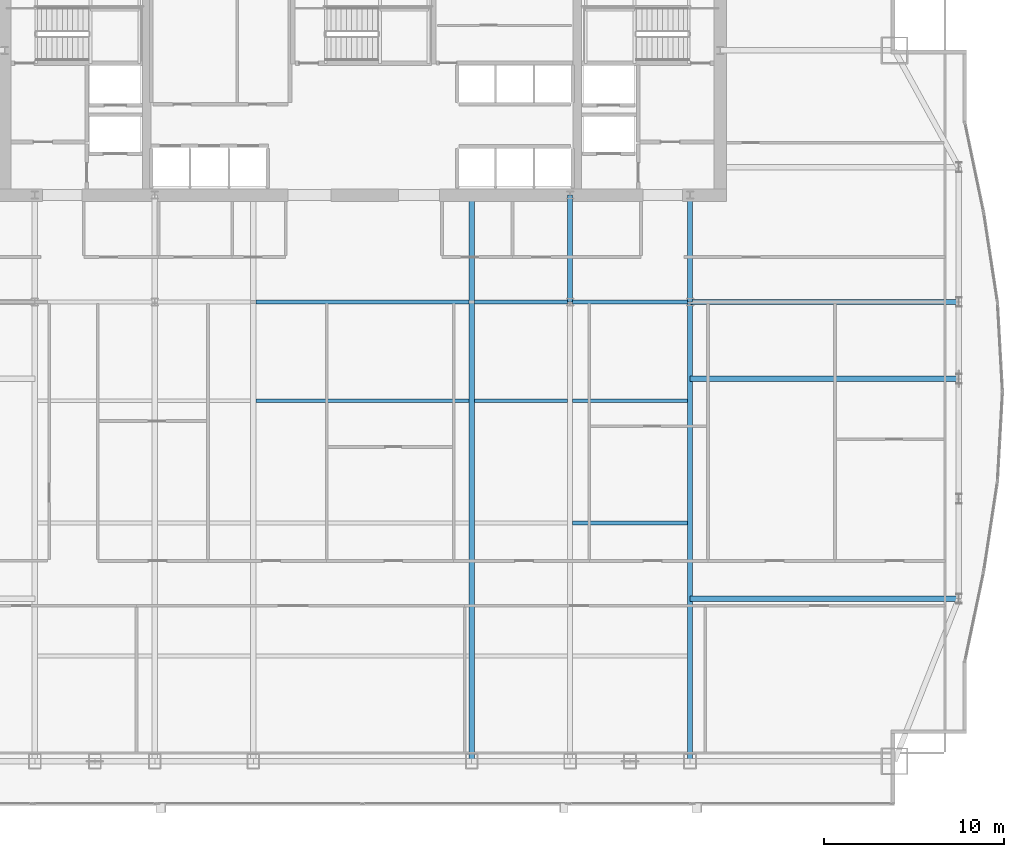
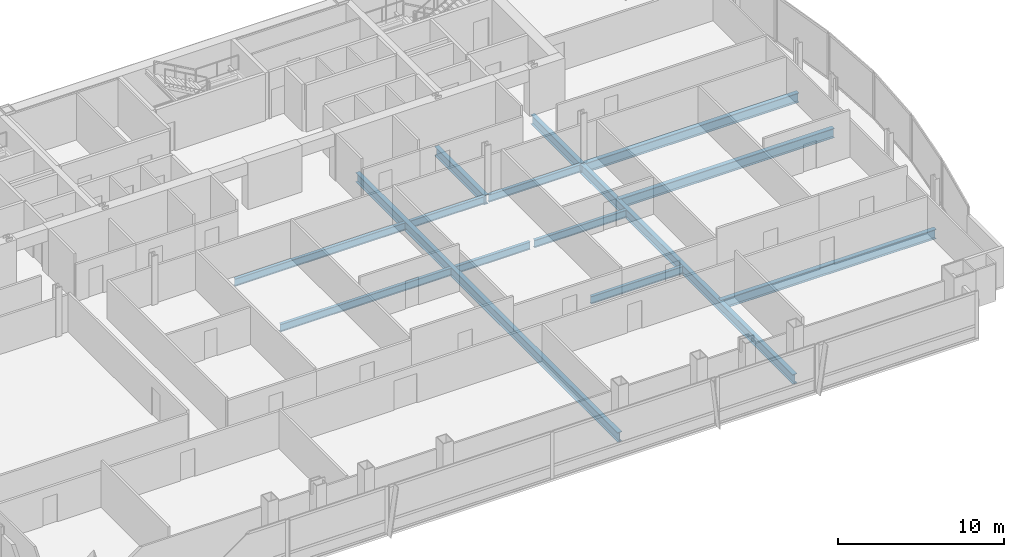
# One storey, part 16 of 33: 14 beams.
"""IFC4 building model written with IfcOpenShell, lengths in metres."""

from ifc_helpers import new_model, si_unit, direction, frame, origin, origin_2d, place, context, subcontext, project, spatial, i_section, extrude, material, material_profile, profile_set, type_object, element, save


model = new_model("IFC4")

# Units and contexts
model_context = context("Model", 3, precision=1e-05, world=origin(), true_north=direction((0.0, 1.0)))
body_context = subcontext(model_context, "Body", "Model", "MODEL_VIEW")
ifc_project = project(units=[si_unit("LENGTHUNIT", "METRE"), si_unit("AREAUNIT", "SQUARE_METRE"), si_unit("VOLUMEUNIT", "CUBIC_METRE"), si_unit("PLANEANGLEUNIT", "RADIAN"), si_unit("MASSUNIT", "GRAM", prefix="KILO")], contexts=[model_context])

# Site, building, storey
site_placement = place(None, origin())
site = spatial("IfcSite", under=ifc_project, at=site_placement, CompositionType="ELEMENT")
building_placement = place(site_placement, origin())
building = spatial("IfcBuilding", under=site, at=building_placement, Name="Khoronbel Lancet Exchange", CompositionType="ELEMENT")
storey_placement = place(building_placement, frame((0.0, 0.0, 114.60009765625)))
storey = spatial("IfcBuildingStorey", under=building, at=storey_placement, Name="L27", CompositionType="ELEMENT", Elevation=114.60009765625)

# Beams
ifc_material = material(Name="Steel S355", Category="steel")
ifc_material_profile_1 = material_profile(ifc_material, i_section(OverallWidth=0.300048828125, OverallDepth=0.699951171875, WebThickness=0.01708984375, FlangeThickness=0.031982421875, at=origin_2d()), Name="HEB 700")
ifc_profile_set_1 = profile_set([ifc_material_profile_1], Name="Steel S355")
beam_type_1 = type_object("IfcBeamType", Name="BM-BG3", PredefinedType="BEAM", material=ifc_profile_set_1)
beam_1_placement = place(storey_placement, frame((42.52490234375, 10.14990234375, -0.510009765625), z_axis=(0.0, 1.0, 0.0), x_axis=(-1.0, 0.0, 0.0)))
element("IfcBeam", 1, at=beam_1_placement, inside=storey, type_object=beam_type_1, Name="Level L27 primary floor girder G4", PredefinedType="BEAM", context=body_context, shape_type="SweptSolid", body=[
    extrude(i_section(OverallWidth=0.300048828125, OverallDepth=0.699951171875, WebThickness=0.01708984375, FlangeThickness=0.031982421875, at=origin_2d()), origin(), (0.0, 0.0, 1.0), 31.5),
])
beam_2_placement = place(storey_placement, frame((48.0, 35.699951171875, -0.510009765625), z_axis=(0.0, 1.0, 0.0), x_axis=(-1.0, 0.0, 0.0)))
element("IfcBeam", 2, at=beam_2_placement, inside=storey, type_object=beam_type_1, Name="Level L27 spine tie girder GN5", PredefinedType="BEAM", context=body_context, shape_type="SweptSolid", body=[
    extrude(i_section(OverallWidth=0.300048828125, OverallDepth=0.699951171875, WebThickness=0.01708984375, FlangeThickness=0.031982421875, at=origin_2d()), origin(), (0.0, 0.0, 1.0), 5.949951171875),
])
beam_3_placement = place(storey_placement, frame((54.675048828125, 10.14990234375, -0.510009765625), z_axis=(0.0, 1.0, 0.0), x_axis=(-1.0, 0.0, 0.0)))
element("IfcBeam", 3, at=beam_3_placement, inside=storey, type_object=beam_type_1, Name="Level L27 south primary girder GS6", PredefinedType="BEAM", context=body_context, shape_type="SweptSolid", body=[
    extrude(i_section(OverallWidth=0.300048828125, OverallDepth=0.699951171875, WebThickness=0.01708984375, FlangeThickness=0.031982421875, at=origin_2d()), origin(), (0.0, 0.0, 1.0), 25.550048828125),
])
beam_4_placement = place(storey_placement, frame((54.675048828125, 35.699951171875, -0.510009765625), z_axis=(0.0, 1.0, 0.0), x_axis=(-1.0, 0.0, 0.0)))
element("IfcBeam", 4, at=beam_4_placement, inside=storey, type_object=beam_type_1, Name="Level L27 spine tie girder GN6", PredefinedType="BEAM", context=body_context, shape_type="SweptSolid", body=[
    extrude(i_section(OverallWidth=0.300048828125, OverallDepth=0.699951171875, WebThickness=0.01708984375, FlangeThickness=0.031982421875, at=origin_2d()), origin(), (0.0, 0.0, 1.0), 5.949951171875),
])
for number, where, z_axis, x_axis, name in (
    (5, (54.675048828125, 19.199951171875, -0.510009765625), (1.0, 0.0, 0.0), (0.0, 1.0, 0.0), "Level L27 east lens tie girder LG1E"),
    (6, (54.675048828125, 31.425048828125, -0.510009765625), (1.0, 0.0, 0.0), (0.0, 1.0, 0.0), "Level L27 east lens tie girder LG2E"),
    (7, (54.675048828125, 35.699951171875, -0.510009765625), (1.0, 0.0, 0.0), (0.0, 1.0, 0.0), "Level L27 east lens tie girder LG4E"),
):
    element("IfcBeam", number, at=place(storey_placement, frame(where, z_axis=z_axis, x_axis=x_axis)), inside=storey, type_object=beam_type_1, Name=name, PredefinedType="BEAM", context=body_context, shape_type="SweptSolid", body=[
        extrude(i_section(OverallWidth=0.300048828125, OverallDepth=0.699951171875, WebThickness=0.01708984375, FlangeThickness=0.031982421875, at=origin_2d()), origin(), (0.0, 0.0, 1.0), 14.954833984375),
    ])
ifc_material_profile_2 = material_profile(ifc_material, i_section(OverallWidth=0.2099609375, OverallDepth=0.550048828125, WebThickness=0.010986328125, FlangeThickness=0.01708984375, at=origin_2d()), Name="IPE 550")
ifc_profile_set_2 = profile_set([ifc_material_profile_2], Name="Steel S355")
beam_type_2 = type_object("IfcBeamType", Name="BM-BJ2", PredefinedType="JOIST", material=ifc_profile_set_2)
beam_5_placement = place(storey_placement, frame((48.14990234375, 23.39990234375, -0.43505859375), z_axis=(1.0, 0.0, 0.0), x_axis=(0.0, 1.0, 0.0)))
element("IfcBeam", 8, at=beam_5_placement, inside=storey, type_object=beam_type_2, Name="Level L27 secondary composite joist J10", PredefinedType="JOIST", context=body_context, shape_type="SweptSolid", body=[
    extrude(i_section(OverallWidth=0.2099609375, OverallDepth=0.550048828125, WebThickness=0.010986328125, FlangeThickness=0.01708984375, at=origin_2d()), origin(), (0.0, 0.0, 1.0), 6.375),
])
beam_6_placement = place(storey_placement, frame((30.52490234375, 30.199951171875, -0.43505859375), z_axis=(1.0, 0.0, 0.0), x_axis=(0.0, 1.0, 0.0)))
element("IfcBeam", 9, at=beam_6_placement, inside=storey, type_object=beam_type_2, Name="Level L27 secondary composite joist J13", PredefinedType="JOIST", context=body_context, shape_type="SweptSolid", body=[
    extrude(i_section(OverallWidth=0.2099609375, OverallDepth=0.550048828125, WebThickness=0.010986328125, FlangeThickness=0.01708984375, at=origin_2d()), origin(), (0.0, 0.0, 1.0), 11.85009765625),
])
beam_7_placement = place(storey_placement, frame((42.675048828125, 30.199951171875, -0.43505859375), z_axis=(1.0, 0.0, 0.0), x_axis=(0.0, 1.0, 0.0)))
element("IfcBeam", 10, at=beam_7_placement, inside=storey, type_object=beam_type_2, Name="Level L27 secondary composite joist J14", PredefinedType="JOIST", context=body_context, shape_type="SweptSolid", body=[
    extrude(i_section(OverallWidth=0.2099609375, OverallDepth=0.550048828125, WebThickness=0.010986328125, FlangeThickness=0.01708984375, at=origin_2d()), origin(), (0.0, 0.0, 1.0), 5.175048828125),
])
beam_8_placement = place(storey_placement, frame((48.14990234375, 30.199951171875, -0.43505859375), z_axis=(1.0, 0.0, 0.0), x_axis=(0.0, 1.0, 0.0)))
element("IfcBeam", 11, at=beam_8_placement, inside=storey, type_object=beam_type_2, Name="Level L27 secondary composite joist J15", PredefinedType="JOIST", context=body_context, shape_type="SweptSolid", body=[
    extrude(i_section(OverallWidth=0.2099609375, OverallDepth=0.550048828125, WebThickness=0.010986328125, FlangeThickness=0.01708984375, at=origin_2d()), origin(), (0.0, 0.0, 1.0), 6.375),
])
beam_9_placement = place(storey_placement, frame((30.52490234375, 35.699951171875, -0.43505859375), z_axis=(1.0, 0.0, 0.0), x_axis=(0.0, 1.0, 0.0)))
element("IfcBeam", 12, at=beam_9_placement, inside=storey, type_object=beam_type_2, Name="Level L27 secondary composite joist J18", PredefinedType="JOIST", context=body_context, shape_type="SweptSolid", body=[
    extrude(i_section(OverallWidth=0.2099609375, OverallDepth=0.550048828125, WebThickness=0.010986328125, FlangeThickness=0.01708984375, at=origin_2d()), origin(), (0.0, 0.0, 1.0), 11.85009765625),
])
beam_10_placement = place(storey_placement, frame((42.675048828125, 35.699951171875, -0.43505859375), z_axis=(1.0, 0.0, 0.0), x_axis=(0.0, 1.0, 0.0)))
element("IfcBeam", 13, at=beam_10_placement, inside=storey, type_object=beam_type_2, Name="Level L27 secondary composite joist J19", PredefinedType="JOIST", context=body_context, shape_type="SweptSolid", body=[
    extrude(i_section(OverallWidth=0.2099609375, OverallDepth=0.550048828125, WebThickness=0.010986328125, FlangeThickness=0.01708984375, at=origin_2d()), origin(), (0.0, 0.0, 1.0), 5.175048828125),
])
beam_11_placement = place(storey_placement, frame((48.14990234375, 35.699951171875, -0.43505859375), z_axis=(1.0, 0.0, 0.0), x_axis=(0.0, 1.0, 0.0)))
element("IfcBeam", 14, at=beam_11_placement, inside=storey, type_object=beam_type_2, Name="Level L27 secondary composite joist J20", PredefinedType="JOIST", context=body_context, shape_type="SweptSolid", body=[
    extrude(i_section(OverallWidth=0.2099609375, OverallDepth=0.550048828125, WebThickness=0.010986328125, FlangeThickness=0.01708984375, at=origin_2d()), origin(), (0.0, 0.0, 1.0), 6.375),
])

save(model, "model.ifc")
